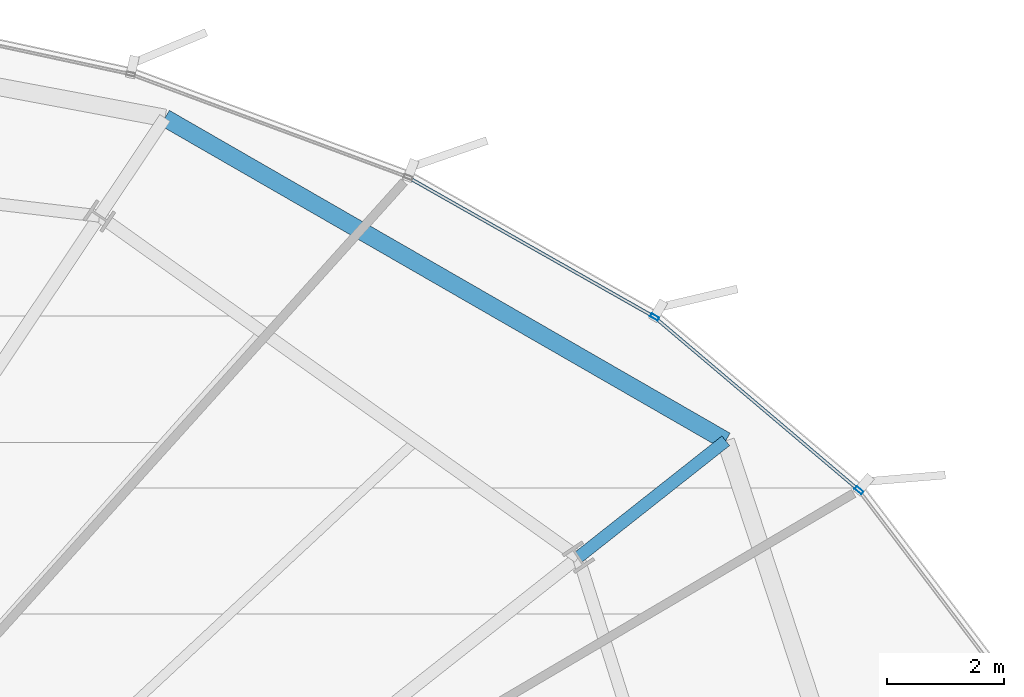
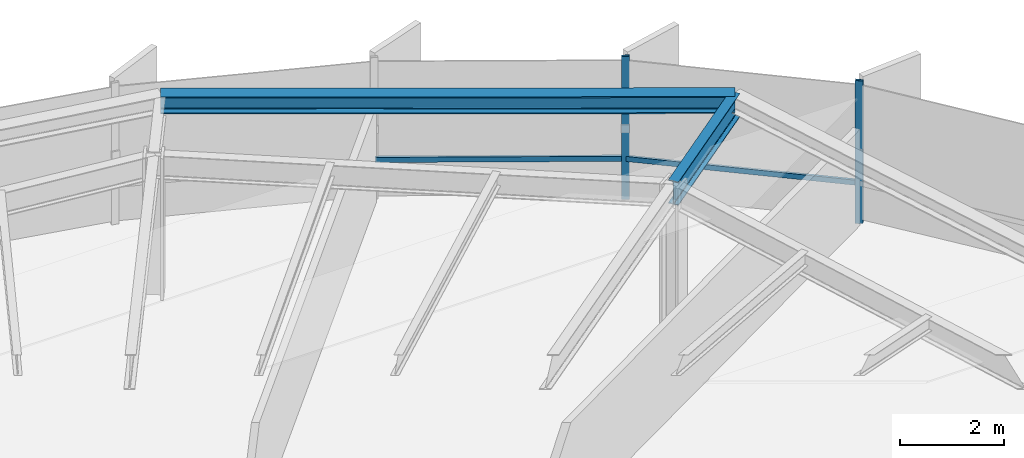
# One storey, part 25 of 35: 4 members, 2 beams, 1 element without a shape of its own.
"""IFC4 building model written with IfcOpenShell, lengths in metres."""

from ifc_helpers import new_model, si_unit, direction, frame, origin, origin_2d, place, context, subcontext, project, spatial, hollow_rectangle, i_section, extrude, source, transform, mapped, material, layer, layer_set, material_profile, profile_set, type_object, element, aggregate, save


model = new_model("IFC4")

# Units and contexts
model_context = context("Model", 3, precision=1e-05, world=origin(), true_north=direction((0.0, 1.0)))
body_context = subcontext(model_context, "Body", "Model", "MODEL_VIEW")
ifc_project = project(units=[si_unit("LENGTHUNIT", "METRE"), si_unit("AREAUNIT", "SQUARE_METRE"), si_unit("VOLUMEUNIT", "CUBIC_METRE"), si_unit("PLANEANGLEUNIT", "RADIAN"), si_unit("MASSUNIT", "GRAM", prefix="KILO"), si_unit("THERMODYNAMICTEMPERATUREUNIT", "KELVIN")], contexts=[model_context])

# Site, building, storey
site_placement = place(None, origin())
site = spatial("IfcSite", under=ifc_project, at=site_placement, CompositionType="ELEMENT")
building_placement = place(site_placement, origin())
building = spatial("IfcBuilding", under=site, at=building_placement, Name="Kethvar Cultural Tower", CompositionType="ELEMENT")
storey_placement = place(building_placement, frame((0.0, 0.0, 96.39990234375)))
storey = spatial("IfcBuildingStorey", under=building, at=storey_placement, Name="L23", CompositionType="ELEMENT", Elevation=96.39990234375)

# Beams
ifc_material_1 = material(Name="Steel S355J2", Category="steel")
ifc_material_profile_1 = material_profile(ifc_material_1, i_section(OverallWidth=0.2099609375, OverallDepth=0.550048828125, WebThickness=0.010986328125, FlangeThickness=0.01708984375, FilletRadius=0.02392578125, at=origin_2d()), Name="Steel S355J2 — IPE550")
ifc_profile_set_1 = profile_set([ifc_material_profile_1], Name="Steel S355J2 — IPE550")
beam_type_1 = type_object("IfcBeamType", Name="BM-IPE550", PredefinedType="BEAM", material=ifc_profile_set_1)
shared_shape_1 = source(origin(), body_context, "Body", "SweptSolid", [
    extrude(i_section(OverallWidth=0.2099609375, OverallDepth=0.550048828125, WebThickness=0.010986328125, FlangeThickness=0.01708984375, FilletRadius=0.02392578125, at=origin_2d()), origin(), (0.0, 0.0, 1.0), 3.2001953125),
])
beam_1_placement = place(storey_placement, frame((68.568603515625, 42.34521484375, 3.072998046875), z_axis=(0.784650322996, 0.619938602301, 0.0), x_axis=(-0.619938602301, 0.784650322996, 0.0)))
element("IfcBeam", 1, at=beam_1_placement, inside=storey, type_object=beam_type_1, Name="L23 Perimeter Cantilever Beam RC-02", PredefinedType="BEAM", context=body_context, shape_type="MappedRepresentation", body=[
    mapped(shared_shape_1, transform((0.0, 0.0, 0.0), scale=1.0)),
])
ifc_material_profile_2 = material_profile(ifc_material_1, i_section(OverallWidth=0.300048828125, OverallDepth=0.39990234375, WebThickness=0.013427734375, FlangeThickness=0.02392578125, FilletRadius=0.027099609375, at=origin_2d()), Name="Steel S355J2 — HEB400")
ifc_profile_set_2 = profile_set([ifc_material_profile_2], Name="Steel S355J2 — HEB400")
beam_type_2 = type_object("IfcBeamType", Name="BM-SP400", PredefinedType="SPANDREL", material=ifc_profile_set_2)
shared_shape_2 = source(origin(), body_context, "Body", "SweptSolid", [
    extrude(i_section(OverallWidth=0.300048828125, OverallDepth=0.39990234375, WebThickness=0.013427734375, FlangeThickness=0.02392578125, FilletRadius=0.027099609375, at=origin_2d()), origin(), (0.0, 0.0, 1.0), 11.029052734375),
])
beam_2_placement = place(storey_placement, frame((71.07958984375, 44.3291015625, 3.148193359375), z_axis=(-0.866646240632, 0.498923133958, 0.0), x_axis=(-0.498923133958, -0.866646240632, 0.0)))
element("IfcBeam", 2, at=beam_2_placement, inside=storey, type_object=beam_type_2, Name="L23 Perimeter Spandrel Beam SP-02", PredefinedType="SPANDREL", context=body_context, shape_type="MappedRepresentation", body=[
    mapped(shared_shape_2, transform((0.0, 0.0, 0.0), scale=1.0)),
])

# Curtain wall, members
ifc_material_2 = material(Name="Aluminium 6063-T6", Category="aluminium")
ifc_layer = layer(ifc_material_2, 0.179931640625, Name="Aluminium 6063-T6", Category="aluminium")
ifc_layer_set = layer_set([ifc_layer], Name="Aluminium 6063-T6 (180 mm)")
curtain_wall_type = type_object("IfcCurtainWallType", Name="CW-SYS-03-Z2", PredefinedType="NOTDEFINED", material=ifc_layer_set)
curtain_wall_placement = place(storey_placement, origin())
curtain_wall = element("IfcCurtainWall", 3, at=curtain_wall_placement, inside=storey, type_object=curtain_wall_type, Name="L23 Curtain Wall Run 01", PredefinedType="NOTDEFINED")
ifc_material_profile_3 = material_profile(ifc_material_2, hollow_rectangle(XDim=0.06005859375, YDim=0.14990234375, WallThickness=0.0048828125, at=origin_2d()), Name="Aluminium 6063-T6 — RHS150x60x5")
ifc_profile_set_3 = profile_set([ifc_material_profile_3], Name="Aluminium 6063-T6 — RHS150x60x5")
member_type_1 = type_object("IfcMemberType", Name="CW-SYS-03-Z2-MUL", PredefinedType="MULLION", material=ifc_profile_set_3)
shared_shape_3 = source(origin(), body_context, "Body", "SweptSolid", [
    extrude(hollow_rectangle(XDim=0.06005859375, YDim=0.14990234375, WallThickness=0.0048828125, at=origin_2d()), origin(), (0.0, 0.0, 1.0), 3.35009765625),
])
member_1_placement = place(storey_placement, frame((73.349609375, 43.485595703125, 0.0), z_axis=(0.0, 0.0, 1.0), x_axis=(-0.646203901617, -0.763164803653, 0.0)))
member_1 = element("IfcMember", 4, at=member_1_placement, type_object=member_type_1, Name="CW-L23-R01 Mullion 3", PredefinedType="MULLION", context=body_context, shape_type="MappedRepresentation", body=[
    mapped(shared_shape_3, transform((0.0, 0.0, 0.0), scale=1.0)),
])
member_2_placement = place(storey_placement, frame((69.866943359375, 46.4375, 0.0), z_axis=(0.0, 0.0, 1.0), x_axis=(-0.493243632199, -0.869891211184, 0.0)))
member_2 = element("IfcMember", 5, at=member_2_placement, type_object=member_type_1, Name="CW-L23-R01 Mullion 4", PredefinedType="MULLION", context=body_context, shape_type="MappedRepresentation", body=[
    mapped(shared_shape_3, transform((0.0, 0.0, 0.0), scale=1.0)),
])
ifc_material_profile_4 = material_profile(ifc_material_2, hollow_rectangle(XDim=0.054931640625, YDim=0.1201171875, WallThickness=0.00390625, at=origin_2d()), Name="Aluminium 6063-T6 — RHS120x55x4")
ifc_profile_set_4 = profile_set([ifc_material_profile_4], Name="Aluminium 6063-T6 — RHS120x55x4")
member_type_2 = type_object("IfcMemberType", Name="CW-SYS-03-Z2-TRN", PredefinedType="USERDEFINED", material=ifc_profile_set_4)
shared_shape_4 = source(origin(), body_context, "Body", "SweptSolid", [
    extrude(hollow_rectangle(XDim=0.054931640625, YDim=0.1201171875, WallThickness=0.00390625, at=origin_2d()), origin(), (0.0, 0.0, 1.0), 4.5),
])
member_3_placement = place(storey_placement, frame((73.316650390625, 43.513671875, 0.9501953125), z_axis=(-0.763168109893, 0.646199996938, 0.0), x_axis=(-0.646199996938, -0.763168109893, 0.0)))
member_3 = element("IfcMember", 6, at=member_3_placement, type_object=member_type_2, Name="CW-L23-R01 Transom 3", ObjectType="TRANSOM", PredefinedType="USERDEFINED", context=body_context, shape_type="MappedRepresentation", body=[
    mapped(shared_shape_4, transform((0.0, 0.0, 0.0), scale=1.0)),
])
shared_shape_5 = source(origin(), body_context, "Body", "SweptSolid", [
    extrude(hollow_rectangle(XDim=0.054931640625, YDim=0.1201171875, WallThickness=0.00390625, at=origin_2d()), origin(), (0.0, 0.0, 1.0), 4.7607421875),
])
member_4_placement = place(storey_placement, frame((69.829345703125, 46.458740234375, 0.9501953125), z_axis=(-0.8698982446, 0.493231227764, 0.0), x_axis=(-0.493231227764, -0.8698982446, 0.0)))
member_4 = element("IfcMember", 7, at=member_4_placement, type_object=member_type_2, Name="CW-L23-R01 Transom 4", ObjectType="TRANSOM", PredefinedType="USERDEFINED", context=body_context, shape_type="MappedRepresentation", body=[
    mapped(shared_shape_5, transform((0.0, 0.0, 0.0), scale=1.0)),
])
aggregate(curtain_wall, [member_1, member_2, member_3, member_4])

save(model, "model.ifc")
